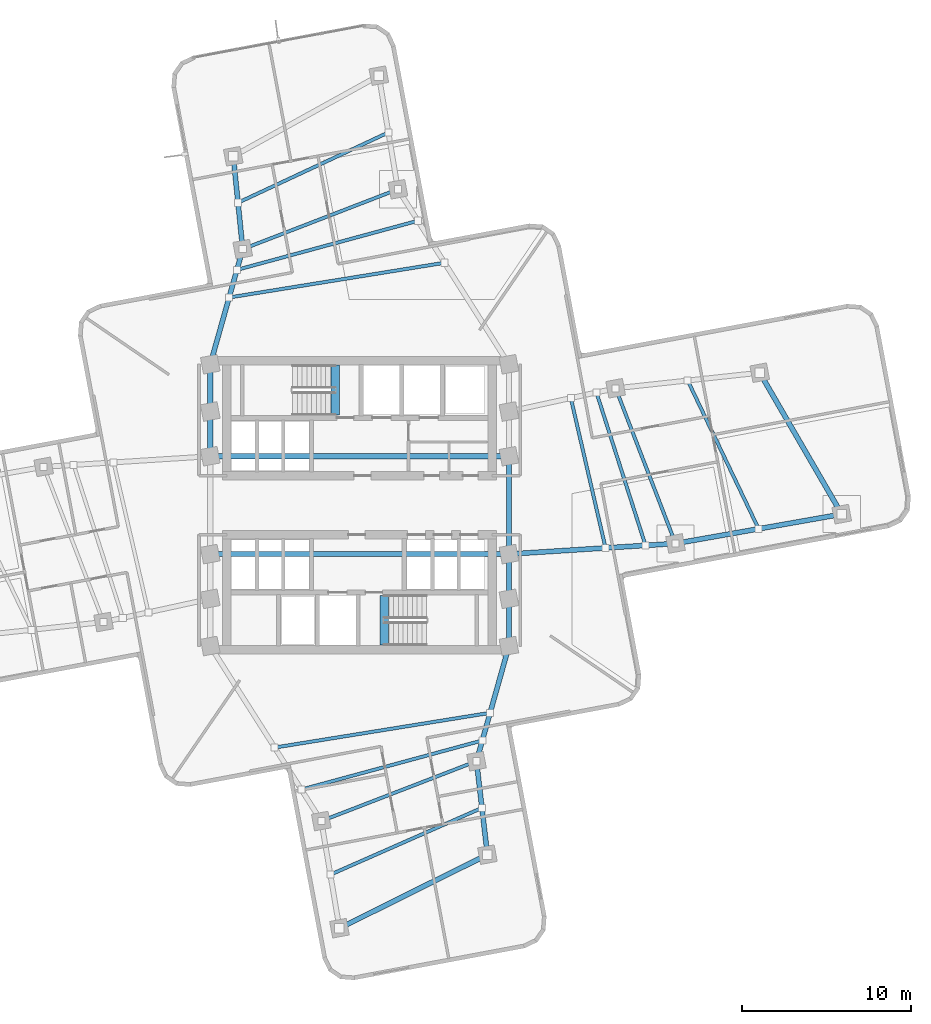
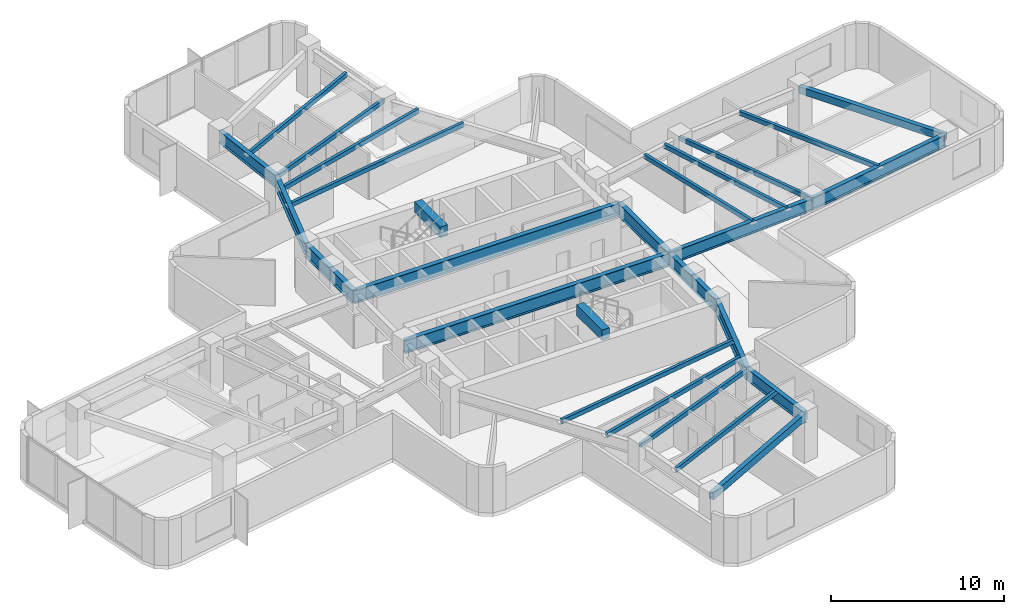
# One storey, part 3 of 12: 29 beams.
"""IFC4 building model written with IfcOpenShell, lengths in metres."""

from ifc_helpers import new_model, si_unit, direction, frame, origin, origin_2d, place, context, subcontext, project, spatial, rectangle, hollow_rectangle, i_section, extrude, material, material_profile, profile_set, type_object, element, save


model = new_model("IFC4")

# Units and contexts
model_context = context("Model", 3, precision=1e-05, world=origin(), true_north=direction((0.0, 1.0)))
body_context = subcontext(model_context, "Body", "Model", "MODEL_VIEW")
ifc_project = project(units=[si_unit("LENGTHUNIT", "METRE"), si_unit("AREAUNIT", "SQUARE_METRE"), si_unit("VOLUMEUNIT", "CUBIC_METRE"), si_unit("PLANEANGLEUNIT", "RADIAN"), si_unit("MASSUNIT", "GRAM", prefix="KILO")], contexts=[model_context])

# Site, building, storey
site_placement = place(None, origin())
site = spatial("IfcSite", under=ifc_project, at=site_placement, CompositionType="ELEMENT")
building_placement = place(site_placement, origin())
building = spatial("IfcBuilding", under=site, at=building_placement, Name="Solmarez Civic Tower", CompositionType="ELEMENT")
storey_placement = place(building_placement, frame((0.0, 0.0, 103.679931640625)))
storey = spatial("IfcBuildingStorey", under=building, at=storey_placement, Name="L27", CompositionType="ELEMENT", Elevation=103.679931640625)

# Beams
ifc_material_1 = material(Name="Steel S355", Category="steel")
ifc_material_profile_1 = material_profile(ifc_material_1, hollow_rectangle(XDim=0.199951171875, YDim=0.300048828125, WallThickness=0.011962890625, at=origin_2d()), Name="HSS300X200X12")
ifc_profile_set_1 = profile_set([ifc_material_profile_1], Name="Steel S355")
beam_type_1 = type_object("IfcBeamType", Name="BM-JS-HSS300X200", PredefinedType="JOIST", material=ifc_profile_set_1)
beam_1_placement = place(storey_placement, frame((18.72412109375, -2.27099609375, 3.050048828125), z_axis=(-0.359984466214, 0.932958297077, 0.0), x_axis=(-0.932958297077, -0.359984466214, 0.0)))
element("IfcBeam", 1, at=beam_1_placement, inside=storey, type_object=beam_type_1, Name="L27 Secondary Floor Joist BM-L27-EA-T1", PredefinedType="JOIST", context=body_context, shape_type="SweptSolid", body=[
    extrude(hollow_rectangle(XDim=0.199951171875, YDim=0.300048828125, WallThickness=0.011962890625, at=origin_2d()), origin(), (0.0, 0.0, 1.0), 9.85888671875),
])
beam_2_placement = place(storey_placement, frame((23.64990234375, -1.402099609375, 3.050048828125), z_axis=(-0.431491843414, 0.902116837814, 0.0), x_axis=(-0.902116837814, -0.431491843414, 0.0)))
element("IfcBeam", 2, at=beam_2_placement, inside=storey, type_object=beam_type_1, Name="L27 Secondary Floor Joist JS-L27-EA-M2", PredefinedType="JOIST", context=body_context, shape_type="SweptSolid", body=[
    extrude(hollow_rectangle(XDim=0.199951171875, YDim=0.300048828125, WallThickness=0.011962890625, at=origin_2d()), origin(), (0.0, 0.0, 1.0), 9.744873046875),
])
beam_3_placement = place(storey_placement, frame((14.576904296875, -2.534912109375, 3.050048828125), z_axis=(-0.225762717226, 0.974182321494, 0.0), x_axis=(-0.974182321494, -0.225762717226, 0.0)))
element("IfcBeam", 3, at=beam_3_placement, inside=storey, type_object=beam_type_1, Name="L27 Secondary Floor Joist JS-L27-EA-M11", PredefinedType="JOIST", context=body_context, shape_type="SweptSolid", body=[
    extrude(hollow_rectangle(XDim=0.199951171875, YDim=0.300048828125, WallThickness=0.011962890625, at=origin_2d()), origin(), (0.0, 0.0, 1.0), 9.119384765625),
])
beam_4_placement = place(storey_placement, frame((16.947021484375, -2.384033203125, 3.050048828125), z_axis=(-0.305705295997, 0.952126184914, 0.0), x_axis=(-0.952126184914, -0.305705295997, 0.0)))
element("IfcBeam", 4, at=beam_4_placement, inside=storey, type_object=beam_type_1, Name="L27 Secondary Floor Joist JS-L27-EA-M12", PredefinedType="JOIST", context=body_context, shape_type="SweptSolid", body=[
    extrude(hollow_rectangle(XDim=0.199951171875, YDim=0.300048828125, WallThickness=0.011962890625, at=origin_2d()), origin(), (0.0, 0.0, 1.0), 9.518798828125),
])
beam_5_placement = place(storey_placement, frame((2.27099609375, 18.72412109375, 3.050048828125), z_axis=(-0.932958297077, -0.359984466214, 0.0), x_axis=(0.359984466214, -0.932958297077, 0.0)))
element("IfcBeam", 5, at=beam_5_placement, inside=storey, type_object=beam_type_1, Name="L27 Secondary Floor Joist BM-L27-NA-T1", PredefinedType="JOIST", context=body_context, shape_type="SweptSolid", body=[
    extrude(hollow_rectangle(XDim=0.199951171875, YDim=0.300048828125, WallThickness=0.011962890625, at=origin_2d()), origin(), (0.0, 0.0, 1.0), 9.85888671875),
])
beam_6_placement = place(storey_placement, frame((1.705078125, 22.090087890625, 3.050048828125), z_axis=(-0.906041066986, -0.423189774138, 0.0), x_axis=(0.423189774138, -0.906041066986, 0.0)))
element("IfcBeam", 6, at=beam_6_placement, inside=storey, type_object=beam_type_1, Name="L27 Secondary Floor Joist JS-L27-NA-M2", PredefinedType="JOIST", context=body_context, shape_type="SweptSolid", body=[
    extrude(hollow_rectangle(XDim=0.199951171875, YDim=0.300048828125, WallThickness=0.011962890625, at=origin_2d()), origin(), (0.0, 0.0, 1.0), 9.83740234375),
])
beam_7_placement = place(storey_placement, frame((5.033935546875, 14.366943359375, 3.050048828125), z_axis=(-0.987261309887, -0.159107215423, 0.0), x_axis=(0.159107215423, -0.987261309887, 0.0)))
element("IfcBeam", 7, at=beam_7_placement, inside=storey, type_object=beam_type_1, Name="L27 Secondary Floor Joist JS-L27-NA-M11", PredefinedType="JOIST", context=body_context, shape_type="SweptSolid", body=[
    extrude(hollow_rectangle(XDim=0.199951171875, YDim=0.300048828125, WallThickness=0.011962890625, at=origin_2d()), origin(), (0.0, 0.0, 1.0), 12.933837890625),
])
beam_8_placement = place(storey_placement, frame((3.455078125, 16.85693359375, 3.050048828125), z_axis=(-0.965126314795, -0.261784637614, 0.0), x_axis=(0.261784637614, -0.965126314795, 0.0)))
element("IfcBeam", 8, at=beam_8_placement, inside=storey, type_object=beam_type_1, Name="L27 Secondary Floor Joist JS-L27-NA-M12", PredefinedType="JOIST", context=body_context, shape_type="SweptSolid", body=[
    extrude(hollow_rectangle(XDim=0.199951171875, YDim=0.300048828125, WallThickness=0.011962890625, at=origin_2d()), origin(), (0.0, 0.0, 1.0), 11.11572265625),
])
beam_9_placement = place(storey_placement, frame((-2.27099609375, -18.72412109375, 3.050048828125), z_axis=(0.932958297077, 0.359984466214, 0.0), x_axis=(-0.359984466214, 0.932958297077, 0.0)))
element("IfcBeam", 9, at=beam_9_placement, inside=storey, type_object=beam_type_1, Name="L27 Secondary Floor Joist BM-L27-SA-T1", PredefinedType="JOIST", context=body_context, shape_type="SweptSolid", body=[
    extrude(hollow_rectangle(XDim=0.199951171875, YDim=0.300048828125, WallThickness=0.011962890625, at=origin_2d()), origin(), (0.0, 0.0, 1.0), 9.85888671875),
])
beam_10_placement = place(storey_placement, frame((-1.73291015625, -21.89892578125, 3.050048828125), z_axis=(0.915226616427, 0.402939499905, 0.0), x_axis=(-0.402939499905, 0.915226616427, 0.0)))
element("IfcBeam", 10, at=beam_10_placement, inside=storey, type_object=beam_type_1, Name="L27 Secondary Floor Joist JS-L27-SA-M2", PredefinedType="JOIST", context=body_context, shape_type="SweptSolid", body=[
    extrude(hollow_rectangle(XDim=0.199951171875, YDim=0.300048828125, WallThickness=0.011962890625, at=origin_2d()), origin(), (0.0, 0.0, 1.0), 9.81494140625),
])
beam_11_placement = place(storey_placement, frame((-5.033935546875, -14.366943359375, 3.050048828125), z_axis=(0.987261309887, 0.159107215423, 0.0), x_axis=(-0.159107215423, 0.987261309887, 0.0)))
element("IfcBeam", 11, at=beam_11_placement, inside=storey, type_object=beam_type_1, Name="L27 Secondary Floor Joist JS-L27-SA-M11", PredefinedType="JOIST", context=body_context, shape_type="SweptSolid", body=[
    extrude(hollow_rectangle(XDim=0.199951171875, YDim=0.300048828125, WallThickness=0.011962890625, at=origin_2d()), origin(), (0.0, 0.0, 1.0), 12.933837890625),
])
beam_12_placement = place(storey_placement, frame((-3.455078125, -16.85693359375, 3.050048828125), z_axis=(0.965126314795, 0.261784637614, 0.0), x_axis=(-0.261784637614, 0.965126314795, 0.0)))
element("IfcBeam", 12, at=beam_12_placement, inside=storey, type_object=beam_type_1, Name="L27 Secondary Floor Joist JS-L27-SA-M12", PredefinedType="JOIST", context=body_context, shape_type="SweptSolid", body=[
    extrude(hollow_rectangle(XDim=0.199951171875, YDim=0.300048828125, WallThickness=0.011962890625, at=origin_2d()), origin(), (0.0, 0.0, 1.0), 11.11572265625),
])
ifc_material_2 = material(Name="Concrete C50/60", Category="concrete")
ifc_material_profile_2 = material_profile(ifc_material_2, rectangle(XDim=0.5, YDim=0.75, at=origin_2d()), Name="RC500X750")
ifc_profile_set_2 = profile_set([ifc_material_profile_2], Name="Concrete C50/60")
beam_type_2 = type_object("IfcBeamType", Name="BM-PR-RC500X750", PredefinedType="BEAM", material=ifc_profile_set_2)
for number, where, z_axis, x_axis, name in (
    (13, (-1.449951171875, 5.340087890625, 3.233154296875), (0.0, 1.0, 0.0), (-1.0, 0.0, 0.0), "L27 North Stair Threshold Beam"),
    (14, (1.449951171875, -8.300048828125, 3.233154296875), (0.0, 1.0, 0.0), (-1.0, 0.0, 0.0), "L27 South Stair Threshold Beam"),
):
    element("IfcBeam", number, at=place(storey_placement, frame(where, z_axis=z_axis, x_axis=x_axis)), inside=storey, type_object=beam_type_2, Name=name, PredefinedType="BEAM", context=body_context, shape_type="SweptSolid", body=[
        extrude(rectangle(XDim=0.5, YDim=0.75, at=origin_2d()), origin(), (0.0, 0.0, 1.0), 2.9599609375),
    ])
ifc_material_profile_3 = material_profile(ifc_material_1, i_section(OverallWidth=0.2919921875, OverallDepth=0.845947265625, WebThickness=0.015380859375, FlangeThickness=0.0244140625, at=origin_2d()), Name="W33X141")
ifc_profile_set_3 = profile_set([ifc_material_profile_3], Name="Steel S355")
beam_type_3 = type_object("IfcBeamType", Name="BM-PR-W33X141", PredefinedType="BEAM", material=ifc_profile_set_3)
beam_13_placement = place(storey_placement, frame((8.85009765625, -2.89990234375, 2.777099609375), z_axis=(0.997977751208, 0.063564204508, 0.0), x_axis=(-0.063564204508, 0.997977751208, 0.0)))
element("IfcBeam", 15, at=beam_13_placement, inside=storey, type_object=beam_type_3, Name="L27 Primary Floor Beam BM-L27-EA-R1A", PredefinedType="BEAM", context=body_context, shape_type="SweptSolid", body=[
    extrude(i_section(OverallWidth=0.2919921875, OverallDepth=0.845947265625, WebThickness=0.015380859375, FlangeThickness=0.0244140625, at=origin_2d()), origin(), (0.0, 0.0, 1.0), 9.89404296875),
])
beam_14_placement = place(storey_placement, frame((18.72412109375, -2.27099609375, 2.777099609375), z_axis=(0.984792402105, 0.173735214497, 0.0), x_axis=(-0.173735214497, 0.984792402105, 0.0)))
element("IfcBeam", 16, at=beam_14_placement, inside=storey, type_object=beam_type_3, Name="L27 Primary Floor Beam BM-L27-EA-R2A", PredefinedType="BEAM", context=body_context, shape_type="SweptSolid", body=[
    extrude(i_section(OverallWidth=0.2919921875, OverallDepth=0.845947265625, WebThickness=0.015380859375, FlangeThickness=0.0244140625, at=origin_2d()), origin(), (0.0, 0.0, 1.0), 10.00390625),
])
beam_15_placement = place(storey_placement, frame((-8.85009765625, 8.35009765625, 2.777099609375), z_axis=(0.271213183726, 0.962519303169, 0.0), x_axis=(-0.962519303169, 0.271213183726, 0.0)))
element("IfcBeam", 17, at=beam_15_placement, inside=storey, type_object=beam_type_3, Name="L27 Primary Floor Beam BM-L27-NA-R1B", PredefinedType="BEAM", context=body_context, shape_type="SweptSolid", body=[
    extrude(i_section(OverallWidth=0.2919921875, OverallDepth=0.845947265625, WebThickness=0.015380859375, FlangeThickness=0.0244140625, at=origin_2d()), origin(), (0.0, 0.0, 1.0), 7.0908203125),
])
beam_16_placement = place(storey_placement, frame((-6.927001953125, 15.175048828125, 2.777099609375), z_axis=(-0.101583208843, 0.994827046115, 0.0), x_axis=(-0.994827046115, -0.101583208843, 0.0)))
element("IfcBeam", 18, at=beam_16_placement, inside=storey, type_object=beam_type_3, Name="L27 Primary Floor Beam BM-L27-NA-R2B", PredefinedType="BEAM", context=body_context, shape_type="SweptSolid", body=[
    extrude(i_section(OverallWidth=0.2919921875, OverallDepth=0.845947265625, WebThickness=0.015380859375, FlangeThickness=0.0244140625, at=origin_2d()), origin(), (0.0, 0.0, 1.0), 5.532470703125),
])
beam_17_placement = place(storey_placement, frame((8.85009765625, -8.35009765625, 2.777099609375), z_axis=(-0.271213183726, -0.962519303169, 0.0), x_axis=(0.962519303169, -0.271213183726, 0.0)))
element("IfcBeam", 19, at=beam_17_placement, inside=storey, type_object=beam_type_3, Name="L27 Primary Floor Beam BM-L27-SA-R1B", PredefinedType="BEAM", context=body_context, shape_type="SweptSolid", body=[
    extrude(i_section(OverallWidth=0.2919921875, OverallDepth=0.845947265625, WebThickness=0.015380859375, FlangeThickness=0.0244140625, at=origin_2d()), origin(), (0.0, 0.0, 1.0), 7.0908203125),
])
beam_18_placement = place(storey_placement, frame((6.927001953125, -15.175048828125, 2.777099609375), z_axis=(0.11601314993, -0.993247677593, 0.0), x_axis=(0.993247677593, 0.11601314993, 0.0)))
element("IfcBeam", 20, at=beam_18_placement, inside=storey, type_object=beam_type_3, Name="L27 Primary Floor Beam BM-L27-SA-R2B", PredefinedType="BEAM", context=body_context, shape_type="SweptSolid", body=[
    extrude(i_section(OverallWidth=0.2919921875, OverallDepth=0.845947265625, WebThickness=0.015380859375, FlangeThickness=0.0244140625, at=origin_2d()), origin(), (0.0, 0.0, 1.0), 5.57666015625),
])
ifc_material_profile_4 = material_profile(ifc_material_1, i_section(OverallWidth=0.306884765625, OverallDepth=0.927001953125, WebThickness=0.019287109375, FlangeThickness=0.031982421875, at=origin_2d()), Name="W36X194")
ifc_profile_set_4 = profile_set([ifc_material_profile_4], Name="Steel S355")
beam_type_4 = type_object("IfcBeamType", Name="BM-PR-W36X194", PredefinedType="BEAM", material=ifc_profile_set_4)
beam_19_placement = place(storey_placement, frame((-8.85009765625, 2.89990234375, 2.736083984375), z_axis=(0.0, 1.0, 0.0), x_axis=(-1.0, 0.0, 0.0)))
element("IfcBeam", 21, at=beam_19_placement, inside=storey, type_object=beam_type_4, Name="L27 Primary Floor Beam BM-L27-HC3-HC4", PredefinedType="BEAM", context=body_context, shape_type="SweptSolid", body=[
    extrude(i_section(OverallWidth=0.306884765625, OverallDepth=0.927001953125, WebThickness=0.019287109375, FlangeThickness=0.031982421875, at=origin_2d()), origin(), (0.0, 0.0, 1.0), 2.650146484375),
])
for number, where, z_axis, x_axis, name in (
    (22, (-8.85009765625, 5.550048828125, 2.736083984375), (0.0, 1.0, 0.0), (-1.0, 0.0, 0.0), "L27 Primary Floor Beam BM-L27-HC4-HC9"),
    (23, (8.85009765625, -8.35009765625, 2.736083984375), (0.0, 1.0, 0.0), (-1.0, 0.0, 0.0), "L27 Primary Floor Beam BM-L27-HC10-HC5"),
):
    element("IfcBeam", number, at=place(storey_placement, frame(where, z_axis=z_axis, x_axis=x_axis)), inside=storey, type_object=beam_type_4, Name=name, PredefinedType="BEAM", context=body_context, shape_type="SweptSolid", body=[
        extrude(i_section(OverallWidth=0.306884765625, OverallDepth=0.927001953125, WebThickness=0.019287109375, FlangeThickness=0.031982421875, at=origin_2d()), origin(), (0.0, 0.0, 1.0), 2.800048828125),
    ])
beam_20_placement = place(storey_placement, frame((8.85009765625, -5.550048828125, 2.736083984375), z_axis=(0.0, 1.0, 0.0), x_axis=(-1.0, 0.0, 0.0)))
element("IfcBeam", 24, at=beam_20_placement, inside=storey, type_object=beam_type_4, Name="L27 Primary Floor Beam BM-L27-HC5-HC6", PredefinedType="BEAM", context=body_context, shape_type="SweptSolid", body=[
    extrude(i_section(OverallWidth=0.306884765625, OverallDepth=0.927001953125, WebThickness=0.019287109375, FlangeThickness=0.031982421875, at=origin_2d()), origin(), (0.0, 0.0, 1.0), 2.650146484375),
])
beam_21_placement = place(storey_placement, frame((8.85009765625, -2.89990234375, 2.736083984375), z_axis=(0.0, 1.0, 0.0), x_axis=(-1.0, 0.0, 0.0)))
element("IfcBeam", 25, at=beam_21_placement, inside=storey, type_object=beam_type_4, Name="L27 Primary Floor Beam BM-L27-HC6-HC7", PredefinedType="BEAM", context=body_context, shape_type="SweptSolid", body=[
    extrude(i_section(OverallWidth=0.306884765625, OverallDepth=0.927001953125, WebThickness=0.019287109375, FlangeThickness=0.031982421875, at=origin_2d()), origin(), (0.0, 0.0, 1.0), 5.7998046875),
])
for number, where, z_axis, x_axis, name in (
    (26, (-8.85009765625, -2.89990234375, 2.736083984375), (1.0, 0.0, 0.0), (0.0, 1.0, 0.0), "L27 Primary Floor Beam BM-L27-HC2-HC6"),
    (27, (-8.85009765625, 2.89990234375, 2.736083984375), (1.0, 0.0, 0.0), (0.0, 1.0, 0.0), "L27 Primary Floor Beam BM-L27-HC3-HC7"),
):
    element("IfcBeam", number, at=place(storey_placement, frame(where, z_axis=z_axis, x_axis=x_axis)), inside=storey, type_object=beam_type_4, Name=name, PredefinedType="BEAM", context=body_context, shape_type="SweptSolid", body=[
        extrude(i_section(OverallWidth=0.306884765625, OverallDepth=0.927001953125, WebThickness=0.019287109375, FlangeThickness=0.031982421875, at=origin_2d()), origin(), (0.0, 0.0, 1.0), 17.7001953125),
    ])
ifc_material_profile_5 = material_profile(ifc_material_1, hollow_rectangle(XDim=0.300048828125, YDim=0.5, WallThickness=0.02001953125, at=origin_2d()), Name="HSS500X300X20")
ifc_profile_set_5 = profile_set([ifc_material_profile_5], Name="Steel S355")
beam_type_5 = type_object("IfcBeamType", Name="BM-SP-HSS500X300", PredefinedType="SPANDREL", material=ifc_profile_set_5)
beam_22_placement = place(storey_placement, frame((28.575927734375, -0.532958984375, 2.949951171875), z_axis=(-0.501571424933, 0.865116238254, 0.0), x_axis=(-0.865116238254, -0.501571424933, 0.0)))
element("IfcBeam", 28, at=beam_22_placement, inside=storey, type_object=beam_type_5, Name="L27 Perimeter Spandrel Beam BM-L27-EA-T2", PredefinedType="SPANDREL", context=body_context, shape_type="SweptSolid", body=[
    extrude(hollow_rectangle(XDim=0.300048828125, YDim=0.5, WallThickness=0.02001953125, at=origin_2d()), origin(), (0.0, 0.0, 1.0), 9.691162109375),
])
beam_23_placement = place(storey_placement, frame((-1.195068359375, -25.073974609375, 2.949951171875), z_axis=(0.895432090654, 0.445198125589, 0.0), x_axis=(-0.445198125589, 0.895432090654, 0.0)))
element("IfcBeam", 29, at=beam_23_placement, inside=storey, type_object=beam_type_5, Name="L27 Perimeter Spandrel Beam BM-L27-SA-T2", PredefinedType="SPANDREL", context=body_context, shape_type="SweptSolid", body=[
    extrude(hollow_rectangle(XDim=0.300048828125, YDim=0.5, WallThickness=0.02001953125, at=origin_2d()), origin(), (0.0, 0.0, 1.0), 9.79296875),
])

save(model, "model.ifc")
